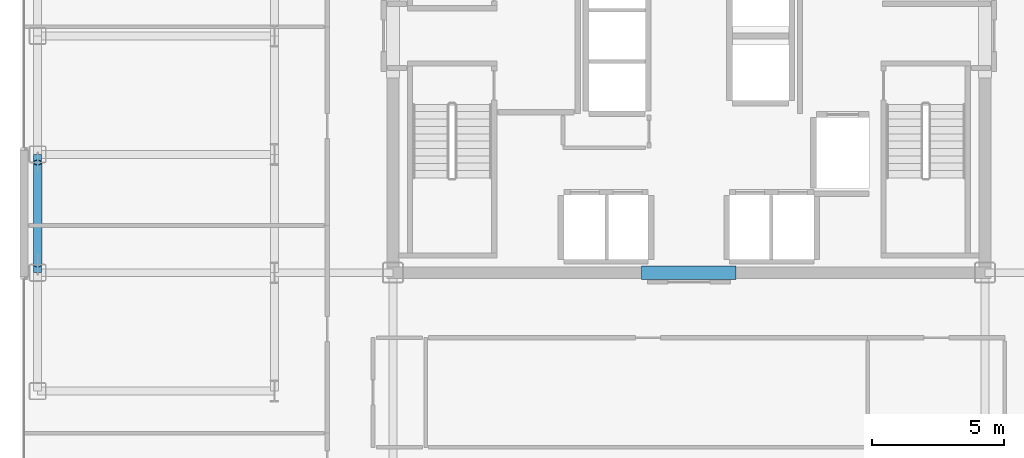
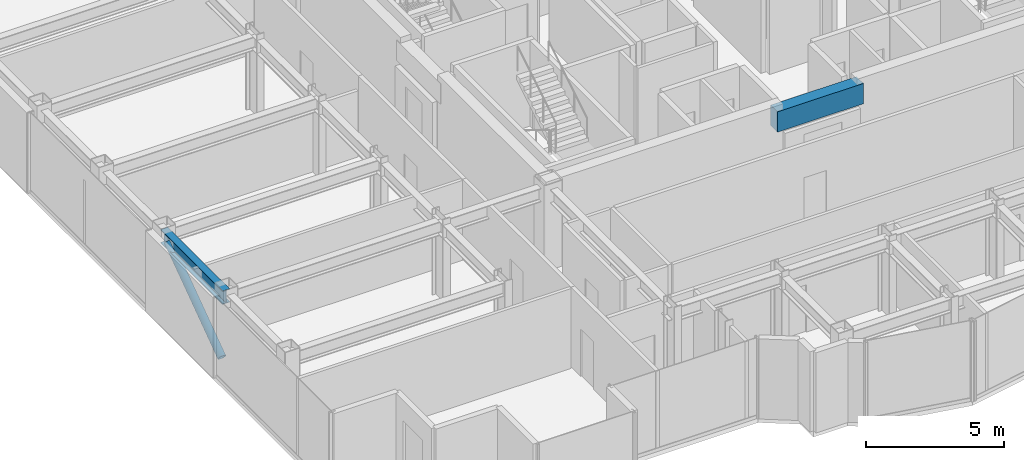
# One storey, part 4 of 21: 2 beams, 1 member.
"""IFC4 building model written with IfcOpenShell, lengths in metres."""

from ifc_helpers import new_model, si_unit, direction, frame, origin, origin_2d, place, context, subcontext, project, spatial, rectangle, hollow_circle, i_section, extrude, source, transform, mapped, material, material_profile, profile_set, type_object, element, save


model = new_model("IFC4")

# Units and contexts
model_context = context("Model", 3, precision=1e-05, world=origin(), true_north=direction((0.0, 1.0)))
body_context = subcontext(model_context, "Body", "Model", "MODEL_VIEW")
ifc_project = project(units=[si_unit("LENGTHUNIT", "METRE"), si_unit("AREAUNIT", "SQUARE_METRE"), si_unit("VOLUMEUNIT", "CUBIC_METRE"), si_unit("PLANEANGLEUNIT", "RADIAN"), si_unit("MASSUNIT", "GRAM", prefix="KILO")], contexts=[model_context])

# Site, building, storey
site_placement = place(None, origin())
site = spatial("IfcSite", under=ifc_project, at=site_placement, CompositionType="ELEMENT")
building_placement = place(site_placement, origin())
building = spatial("IfcBuilding", under=site, at=building_placement, Name="Nefas-Gora Pilgrimage Tower", CompositionType="ELEMENT")
storey_placement = place(building_placement, frame((0.0, 0.0, 252.199951171875)))
storey = spatial("IfcBuildingStorey", under=building, at=storey_placement, Name="L63", CompositionType="ELEMENT", Elevation=252.199951171875)

# Beams
ifc_material_1 = material(Name="Concrete C50/60", Category="concrete")
ifc_material_profile_1 = material_profile(ifc_material_1, rectangle(XDim=0.5, YDim=0.89990234375, at=origin_2d()), Name="RC 500x900")
ifc_profile_set_1 = profile_set([ifc_material_profile_1], Name="Concrete C50/60")
beam_type_1 = type_object("IfcBeamType", Name="BM-LIN-RC900", PredefinedType="LINTEL", material=ifc_profile_set_1)
shared_shape_1 = source(origin(), body_context, "Body", "SweptSolid", [
    extrude(rectangle(XDim=0.5, YDim=0.89990234375, at=origin_2d()), origin(), (0.0, 0.0, 1.0), 3.60009765625),
])
beam_1_placement = place(storey_placement, frame((-1.800048828125, -9.0, 3.10009765625), z_axis=(1.0, 0.0, 0.0), x_axis=(0.0, 1.0, 0.0)))
element("IfcBeam", 1, at=beam_1_placement, inside=storey, type_object=beam_type_1, Name="L63 Core Coupling Lintel Beam S", PredefinedType="LINTEL", context=body_context, shape_type="MappedRepresentation", body=[
    mapped(shared_shape_1, transform((0.0, 0.0, 0.0), x_axis=(1.0, 0.0, 0.0), y_axis=(0.0, 1.0, 0.0), z_axis=(0.0, 0.0, 1.0), scale=1.0)),
])
ifc_material_2 = material(Name="Steel S355", Category="steel")
ifc_material_profile_2 = material_profile(ifc_material_2, i_section(OverallWidth=0.300048828125, OverallDepth=0.60009765625, WebThickness=0.015380859375, FlangeThickness=0.030029296875, FilletRadius=0.027099609375, at=origin_2d()), Name="HEB 600")
ifc_profile_set_2 = profile_set([ifc_material_profile_2], Name="Steel S355")
beam_type_2 = type_object("IfcBeamType", Name="BM-SPN-HEB450", PredefinedType="SPANDREL", material=ifc_profile_set_2)
shared_shape_2 = source(origin(), body_context, "Body", "SweptSolid", [
    extrude(i_section(OverallWidth=0.300048828125, OverallDepth=0.60009765625, WebThickness=0.015380859375, FlangeThickness=0.030029296875, FilletRadius=0.027099609375, at=origin_2d()), origin(), (0.0, 0.0, 1.0), 4.5),
])
beam_2_placement = place(storey_placement, frame((-24.75, -9.0, 3.25), z_axis=(0.0, 1.0, 0.0), x_axis=(-1.0, 0.0, 0.0)))
element("IfcBeam", 2, at=beam_2_placement, inside=storey, type_object=beam_type_2, Name="L63 SP-03 beam", PredefinedType="SPANDREL", context=body_context, shape_type="MappedRepresentation", body=[
    mapped(shared_shape_2, transform((0.0, 0.0, 0.0), x_axis=(1.0, 0.0, 0.0), y_axis=(0.0, 1.0, 0.0), z_axis=(0.0, 0.0, 1.0), scale=1.0)),
])

# Member
ifc_material_profile_3 = material_profile(ifc_material_2, hollow_circle(Radius=0.161865234375, WallThickness=0.02001953125, at=origin_2d()), Name="CHS 323.9x20")
ifc_profile_set_3 = profile_set([ifc_material_profile_3], Name="Steel S355")
member_type = type_object("IfcMemberType", Name="MEM-TUBE-324", PredefinedType="BRACE", material=ifc_profile_set_3)
shared_shape_3 = source(origin(), body_context, "Body", "SweptSolid", [
    extrude(hollow_circle(Radius=0.161865234375, WallThickness=0.02001953125, at=origin_2d()), origin(), (0.0, 0.0, 1.0), 4.763671875),
])
member_placement = place(storey_placement, frame((-24.75, -8.68701171875, 0.3740234375), z_axis=(0.0, 0.813255312614, 0.581907034246), x_axis=(-1.0, 0.0, 0.0)))
element("IfcMember", 3, at=member_placement, inside=storey, type_object=member_type, Name="L63 Perimeter Tube Diagonal Brace W1", PredefinedType="BRACE", context=body_context, shape_type="MappedRepresentation", body=[
    mapped(shared_shape_3, transform((0.0, 0.0, 0.0), x_axis=(1.0, 0.0, 0.0), y_axis=(0.0, 1.0, 0.0), z_axis=(0.0, 0.0, 1.0), scale=1.0)),
])

save(model, "model.ifc")
